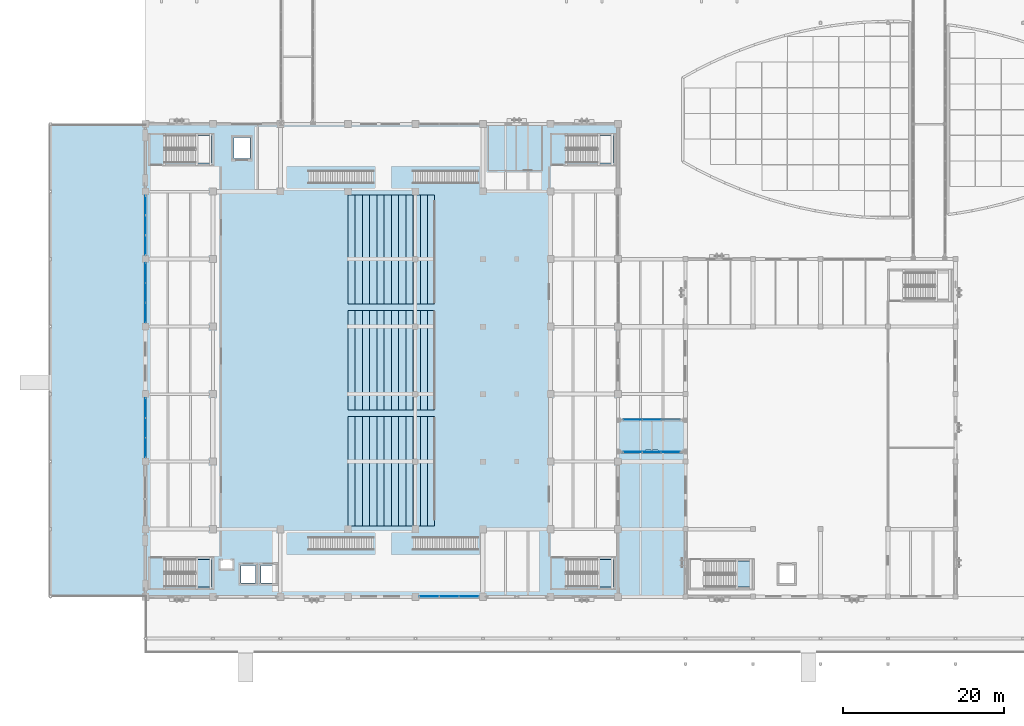
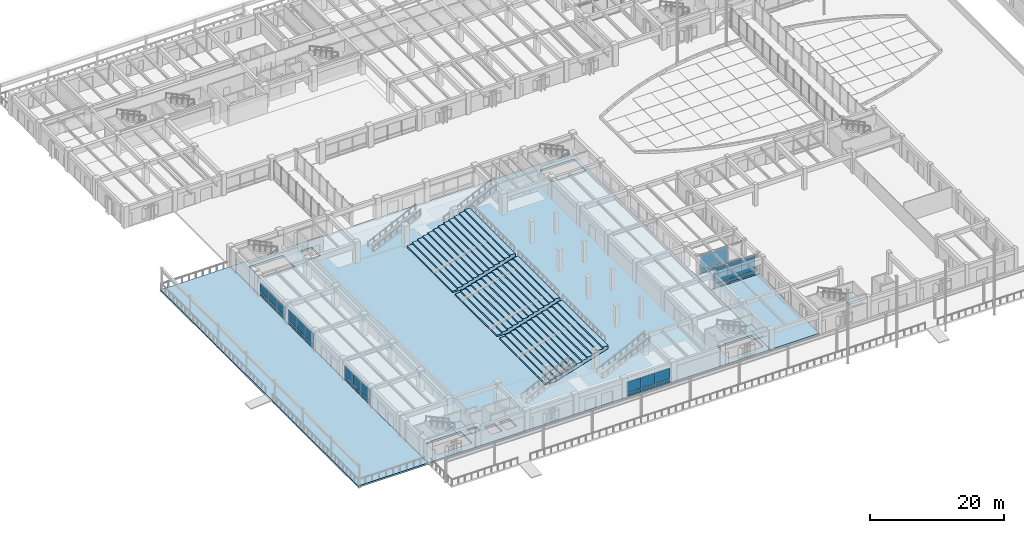
# One storey, part 64 of 135: 35 plates, 10 slabs, 9 elements without a shape of their own.
"""IFC4 building model written with IfcOpenShell, lengths in metres."""

from ifc_helpers import new_model, si_unit, direction, frame, origin, origin_2d, place, context, subcontext, project, spatial, polyline, rectangle, outline, extrude, material, layer, layer_set, type_object, element, aggregate, save


model = new_model("IFC4")

# Units and contexts
model_context = context("Model", 3, precision=1e-05, world=origin(), true_north=direction((0.0, 1.0)))
body_context = subcontext(model_context, "Body", "Model", "MODEL_VIEW")
ifc_project = project(units=[si_unit("LENGTHUNIT", "METRE"), si_unit("AREAUNIT", "SQUARE_METRE"), si_unit("VOLUMEUNIT", "CUBIC_METRE"), si_unit("PLANEANGLEUNIT", "RADIAN"), si_unit("MASSUNIT", "GRAM", prefix="KILO")], contexts=[model_context])

# Site, building, storey
site_placement = place(None, origin())
site = spatial("IfcSite", under=ifc_project, at=site_placement, CompositionType="ELEMENT")
building_placement = place(site_placement, origin())
building = spatial("IfcBuilding", under=site, at=building_placement, Name="Cumbredor Promenade Congress Hotel", CompositionType="ELEMENT")
storey_placement = place(building_placement, origin())
storey = spatial("IfcBuildingStorey", under=building, at=storey_placement, Name="L00", CompositionType="ELEMENT", Elevation=0.0)

# Stair, slab
ifc_material_1 = material(Name="Concrete C40/50", Category="concrete")
stair_type_1 = type_object("IfcStairType", Name="Protected Dog-Leg Exit Stair ST-T3 1650mm", PredefinedType="HALF_TURN_STAIR", material=ifc_material_1)
stair_1_placement = place(storey_placement, origin())
stair_1 = element("IfcStair", 1, at=stair_1_placement, inside=storey, type_object=stair_type_1, Name="L00 Protected Exit Stair ST-04", PredefinedType="HALF_TURN_STAIR")
ifc_layer_1 = layer(ifc_material_1, 0.199951171875, Name="Concrete C40/50", Category="concrete")
ifc_layer_set_1 = layer_set([ifc_layer_1], Name="Concrete C40/50")
slab_type_1 = type_object("IfcSlabType", Name="Concrete Stair Landing Slab 200mm", PredefinedType="LANDING", material=ifc_layer_set_1)
slab_1_placement = place(storey_placement, frame((0.0, 0.0, 1.760009765625)))
slab_1 = element("IfcSlab", 2, at=slab_1_placement, type_object=slab_type_1, Name="ST-04 landing 1", PredefinedType="LANDING", context=body_context, shape_type="SweptSolid", body=[
    extrude(outline(polyline([(14.64990234375, 9.60009765625), (16.64990234375, 9.60009765625), (16.64990234375, 13.050048828125), (14.64990234375, 13.050048828125), (14.64990234375, 9.60009765625)])), origin(), (0.0, 0.0, 1.0), 0.199951171875),
])
aggregate(stair_1, [slab_1])

stair_2_placement = place(storey_placement, origin())
stair_2 = element("IfcStair", 3, at=stair_2_placement, inside=storey, type_object=stair_type_1, Name="L00 Protected Exit Stair ST-05", PredefinedType="HALF_TURN_STAIR")
slab_2_placement = place(storey_placement, frame((0.0, 0.0, 1.760009765625)))
slab_2 = element("IfcSlab", 4, at=slab_2_placement, type_object=slab_type_1, Name="ST-05 landing 1", PredefinedType="LANDING", context=body_context, shape_type="SweptSolid", body=[
    extrude(outline(polyline([(64.64990234375, 9.60009765625), (66.64990234375, 9.60009765625), (66.64990234375, 13.050048828125), (64.64990234375, 13.050048828125), (64.64990234375, 9.60009765625)])), origin(), (0.0, 0.0, 1.0), 0.199951171875),
])
aggregate(stair_2, [slab_2])

stair_type_2 = type_object("IfcStairType", Name="Protected Dog-Leg Exit Stair ST-T1 1550mm", PredefinedType="HALF_TURN_STAIR", material=ifc_material_1)
stair_3_placement = place(storey_placement, origin())
stair_3 = element("IfcStair", 5, at=stair_3_placement, inside=storey, type_object=stair_type_2, Name="L00 Protected Exit Stair ST-11", PredefinedType="HALF_TURN_STAIR")
slab_3_placement = place(storey_placement, frame((0.0, 0.0, 1.760009765625)))
slab_3 = element("IfcSlab", 6, at=slab_3_placement, type_object=slab_type_1, Name="ST-11 landing 1", PredefinedType="LANDING", context=body_context, shape_type="SweptSolid", body=[
    extrude(outline(polyline([(81.85009765625, 9.60009765625), (83.85009765625, 9.60009765625), (83.85009765625, 12.85009765625), (81.85009765625, 12.85009765625), (81.85009765625, 9.60009765625)])), origin(), (0.0, 0.0, 1.0), 0.199951171875),
])
aggregate(stair_3, [slab_3])

# Curtain wall, plates
ifc_material_2 = material(Name="Thermally broken anodized aluminium and low-E glass", Category="aluminium")
curtain_wall_type_1 = type_object("IfcCurtainWallType", Name="Unitised Bridge Glazing Screen CW-05", PredefinedType="NOTDEFINED", material=ifc_material_2)
curtain_wall_1_placement = place(storey_placement, origin())
curtain_wall_1 = element("IfcCurtainWall", 7, at=curtain_wall_1_placement, inside=storey, type_object=curtain_wall_type_1, Name="L00 Central Plenary-to-Spa Pool Bridge South Glazing Screen", PredefinedType="NOTDEFINED")
ifc_material_3 = material(Name="Laminated low-E solar-control glass", Category="glass")
ifc_layer_2 = layer(ifc_material_3, 0.030029296875, Name="Laminated low-E solar-control glass", Category="glass")
ifc_layer_set_2 = layer_set([ifc_layer_2], Name="Laminated low-E solar-control glass")
plate_type_1 = type_object("IfcPlateType", Name="Glazed Bridge Panel PNL-04", PredefinedType="CURTAIN_PANEL", material=ifc_layer_set_2)
plate_1_placement = place(storey_placement, frame((69.0400390625, 26.3798828125, 0.78515625), z_axis=(0.0, 0.0, 1.0), x_axis=(1.0, 0.0, 0.0)))
plate_1 = element("IfcPlate", 8, at=plate_1_placement, type_object=plate_type_1, Name="L00 Central Plenary-to-Spa Pool Bridge South Glazing Screen Glazing Panel 1.2", PredefinedType="CURTAIN_PANEL", context=body_context, shape_type="SweptSolid", body=[
    extrude(rectangle(XDim=2.294921875, YDim=0.030029296875, at=origin_2d()), origin(), (0.0, 0.0, 1.0), 2.6298828125),
])
plate_2_placement = place(storey_placement, frame((71.39990234375, 26.3798828125, 0.78515625), z_axis=(0.0, 0.0, 1.0), x_axis=(1.0, 0.0, 0.0)))
plate_2 = element("IfcPlate", 9, at=plate_2_placement, type_object=plate_type_1, Name="L00 Central Plenary-to-Spa Pool Bridge South Glazing Screen Glazing Panel 2.2", PredefinedType="CURTAIN_PANEL", context=body_context, shape_type="SweptSolid", body=[
    extrude(rectangle(XDim=2.294921875, YDim=0.030029296875, at=origin_2d()), origin(), (0.0, 0.0, 1.0), 2.6298828125),
])
plate_3_placement = place(storey_placement, frame((73.760009765625, 26.3798828125, 0.78515625), z_axis=(0.0, 0.0, 1.0), x_axis=(1.0, 0.0, 0.0)))
plate_3 = element("IfcPlate", 10, at=plate_3_placement, type_object=plate_type_1, Name="L00 Central Plenary-to-Spa Pool Bridge South Glazing Screen Glazing Panel 3.2", PredefinedType="CURTAIN_PANEL", context=body_context, shape_type="SweptSolid", body=[
    extrude(rectangle(XDim=2.294921875, YDim=0.030029296875, at=origin_2d()), origin(), (0.0, 0.0, 1.0), 2.6298828125),
])

curtain_wall_2_placement = place(storey_placement, origin())
curtain_wall_2 = element("IfcCurtainWall", 11, at=curtain_wall_2_placement, inside=storey, type_object=curtain_wall_type_1, Name="L00 Central Plenary-to-Spa Pool Bridge North Glazing Screen", PredefinedType="NOTDEFINED")
plate_4_placement = place(storey_placement, frame((69.0400390625, 30.419921875, 0.78515625), z_axis=(0.0, 0.0, 1.0), x_axis=(1.0, 0.0, 0.0)))
plate_4 = element("IfcPlate", 12, at=plate_4_placement, type_object=plate_type_1, Name="L00 Central Plenary-to-Spa Pool Bridge North Glazing Screen Glazing Panel 1.2", PredefinedType="CURTAIN_PANEL", context=body_context, shape_type="SweptSolid", body=[
    extrude(rectangle(XDim=2.294921875, YDim=0.030029296875, at=origin_2d()), origin(), (0.0, 0.0, 1.0), 2.6298828125),
])
plate_5_placement = place(storey_placement, frame((71.39990234375, 30.419921875, 0.78515625), z_axis=(0.0, 0.0, 1.0), x_axis=(1.0, 0.0, 0.0)))
plate_5 = element("IfcPlate", 13, at=plate_5_placement, type_object=plate_type_1, Name="L00 Central Plenary-to-Spa Pool Bridge North Glazing Screen Glazing Panel 2.2", PredefinedType="CURTAIN_PANEL", context=body_context, shape_type="SweptSolid", body=[
    extrude(rectangle(XDim=2.294921875, YDim=0.030029296875, at=origin_2d()), origin(), (0.0, 0.0, 1.0), 2.6298828125),
])

curtain_wall_type_2 = type_object("IfcCurtainWallType", Name="Unitised Grand Foyer Curtain Wall CW-04", PredefinedType="NOTDEFINED", material=ifc_material_2)
curtain_wall_3_placement = place(storey_placement, origin())
curtain_wall_3 = element("IfcCurtainWall", 14, at=curtain_wall_3_placement, inside=storey, type_object=curtain_wall_type_2, Name="L00 Plenary Congress Hall West Curtain Wall 3", PredefinedType="NOTDEFINED")
ifc_layer_3 = layer(ifc_material_3, 0.028076171875, Name="Laminated low-E solar-control glass", Category="glass")
ifc_layer_set_3 = layer_set([ifc_layer_3], Name="Laminated low-E solar-control glass")
plate_type_2 = type_object("IfcPlateType", Name="Glazed Vision Panel PNL-01", PredefinedType="CURTAIN_PANEL", material=ifc_layer_set_3)
plate_6_placement = place(storey_placement, frame((8.39990234375, 26.936767578125, 0.784912109375), z_axis=(0.0, 0.0, 1.0), x_axis=(0.0, 1.0, 0.0)))
plate_6 = element("IfcPlate", 15, at=plate_6_placement, type_object=plate_type_2, Name="L00 Plenary Congress Hall West Curtain Wall 3 Glazing Panel 1.2", PredefinedType="CURTAIN_PANEL", context=body_context, shape_type="SweptSolid", body=[
    extrude(rectangle(XDim=2.398193359375, YDim=0.028076171875, at=origin_2d()), origin(), (0.0, 0.0, 1.0), 1.9599609375),
])
plate_7_placement = place(storey_placement, frame((8.39990234375, 29.39990234375, 0.784912109375), z_axis=(0.0, 0.0, 1.0), x_axis=(0.0, 1.0, 0.0)))
plate_7 = element("IfcPlate", 16, at=plate_7_placement, type_object=plate_type_2, Name="L00 Plenary Congress Hall West Curtain Wall 3 Glazing Panel 2.2", PredefinedType="CURTAIN_PANEL", context=body_context, shape_type="SweptSolid", body=[
    extrude(rectangle(XDim=2.3984375, YDim=0.028076171875, at=origin_2d()), origin(), (0.0, 0.0, 1.0), 1.9599609375),
])
plate_8_placement = place(storey_placement, frame((8.39990234375, 31.86328125, 0.784912109375), z_axis=(0.0, 0.0, 1.0), x_axis=(0.0, 1.0, 0.0)))
plate_8 = element("IfcPlate", 17, at=plate_8_placement, type_object=plate_type_2, Name="L00 Plenary Congress Hall West Curtain Wall 3 Glazing Panel 3.2", PredefinedType="CURTAIN_PANEL", context=body_context, shape_type="SweptSolid", body=[
    extrude(rectangle(XDim=2.398193359375, YDim=0.028076171875, at=origin_2d()), origin(), (0.0, 0.0, 1.0), 1.9599609375),
])

curtain_wall_4_placement = place(storey_placement, origin())
curtain_wall_4 = element("IfcCurtainWall", 18, at=curtain_wall_4_placement, inside=storey, type_object=curtain_wall_type_2, Name="L00 Plenary Congress Hall South Curtain Wall 5", PredefinedType="NOTDEFINED")
ifc_layer_4 = layer(ifc_material_3, 0.031982421875, Name="Laminated low-E solar-control glass", Category="glass")
ifc_layer_set_4 = layer_set([ifc_layer_4], Name="Laminated low-E solar-control glass")
plate_type_3 = type_object("IfcPlateType", Name="Glazed Vision Panel PNL-02", PredefinedType="CURTAIN_PANEL", material=ifc_layer_set_4)
plate_9_placement = place(storey_placement, frame((43.736572265625, 8.39990234375, 0.795166015625), z_axis=(0.0, 0.0, 1.0), x_axis=(1.0, 0.0, 0.0)))
plate_9 = element("IfcPlate", 19, at=plate_9_placement, type_object=plate_type_3, Name="L00 Plenary Congress Hall South Curtain Wall 5 Glazing Panel 1.2", PredefinedType="CURTAIN_PANEL", context=body_context, shape_type="SweptSolid", body=[
    extrude(rectangle(XDim=2.38818359375, YDim=0.031982421875, at=origin_2d()), origin(), (0.0, 0.0, 1.0), 1.8798828125),
])
plate_10_placement = place(storey_placement, frame((46.199951171875, 8.39990234375, 0.795166015625), z_axis=(0.0, 0.0, 1.0), x_axis=(1.0, 0.0, 0.0)))
plate_10 = element("IfcPlate", 20, at=plate_10_placement, type_object=plate_type_3, Name="L00 Plenary Congress Hall South Curtain Wall 5 Glazing Panel 2.2", PredefinedType="CURTAIN_PANEL", context=body_context, shape_type="SweptSolid", body=[
    extrude(rectangle(XDim=2.388427734375, YDim=0.031982421875, at=origin_2d()), origin(), (0.0, 0.0, 1.0), 1.8798828125),
])
plate_11_placement = place(storey_placement, frame((48.663330078125, 8.39990234375, 0.795166015625), z_axis=(0.0, 0.0, 1.0), x_axis=(1.0, 0.0, 0.0)))
plate_11 = element("IfcPlate", 21, at=plate_11_placement, type_object=plate_type_3, Name="L00 Plenary Congress Hall South Curtain Wall 5 Glazing Panel 3.2", PredefinedType="CURTAIN_PANEL", context=body_context, shape_type="SweptSolid", body=[
    extrude(rectangle(XDim=2.38818359375, YDim=0.031982421875, at=origin_2d()), origin(), (0.0, 0.0, 1.0), 1.8798828125),
])

curtain_wall_5_placement = place(storey_placement, origin())
curtain_wall_5 = element("IfcCurtainWall", 22, at=curtain_wall_5_placement, inside=storey, type_object=curtain_wall_type_2, Name="L00 Plenary Congress Hall West Curtain Wall 5", PredefinedType="NOTDEFINED")
plate_12_placement = place(storey_placement, frame((8.39990234375, 43.736572265625, 0.794921875), z_axis=(0.0, 0.0, 1.0), x_axis=(0.0, 1.0, 0.0)))
plate_12 = element("IfcPlate", 23, at=plate_12_placement, type_object=plate_type_3, Name="L00 Plenary Congress Hall West Curtain Wall 5 Glazing Panel 1.2", PredefinedType="CURTAIN_PANEL", context=body_context, shape_type="SweptSolid", body=[
    extrude(rectangle(XDim=2.38818359375, YDim=0.031982421875, at=origin_2d()), origin(), (0.0, 0.0, 1.0), 1.929931640625),
])
plate_13_placement = place(storey_placement, frame((8.39990234375, 46.199951171875, 0.794921875), z_axis=(0.0, 0.0, 1.0), x_axis=(0.0, 1.0, 0.0)))
plate_13 = element("IfcPlate", 24, at=plate_13_placement, type_object=plate_type_3, Name="L00 Plenary Congress Hall West Curtain Wall 5 Glazing Panel 2.2", PredefinedType="CURTAIN_PANEL", context=body_context, shape_type="SweptSolid", body=[
    extrude(rectangle(XDim=2.388427734375, YDim=0.031982421875, at=origin_2d()), origin(), (0.0, 0.0, 1.0), 1.929931640625),
])
plate_14_placement = place(storey_placement, frame((8.39990234375, 48.663330078125, 0.794921875), z_axis=(0.0, 0.0, 1.0), x_axis=(0.0, 1.0, 0.0)))
plate_14 = element("IfcPlate", 25, at=plate_14_placement, type_object=plate_type_3, Name="L00 Plenary Congress Hall West Curtain Wall 5 Glazing Panel 3.2", PredefinedType="CURTAIN_PANEL", context=body_context, shape_type="SweptSolid", body=[
    extrude(rectangle(XDim=2.38818359375, YDim=0.031982421875, at=origin_2d()), origin(), (0.0, 0.0, 1.0), 1.929931640625),
])

curtain_wall_6_placement = place(storey_placement, origin())
curtain_wall_6 = element("IfcCurtainWall", 26, at=curtain_wall_6_placement, inside=storey, type_object=curtain_wall_type_2, Name="L00 Plenary Congress Hall West Curtain Wall 6", PredefinedType="NOTDEFINED")
ifc_layer_5 = layer(ifc_material_3, 0.028076171875, Name="Laminated low-E solar-control glass", Category="glass")
ifc_layer_set_5 = layer_set([ifc_layer_5], Name="Laminated low-E solar-control glass")
plate_type_4 = type_object("IfcPlateType", Name="Glazed Vision Panel PNL-03", PredefinedType="CURTAIN_PANEL", material=ifc_layer_set_5)
plate_15_placement = place(storey_placement, frame((8.39990234375, 52.13671875, 0.81005859375), z_axis=(0.0, 0.0, 1.0), x_axis=(0.0, 1.0, 0.0)))
plate_15 = element("IfcPlate", 27, at=plate_15_placement, type_object=plate_type_4, Name="L00 Plenary Congress Hall West Curtain Wall 6 Glazing Panel 1.2", PredefinedType="CURTAIN_PANEL", context=body_context, shape_type="SweptSolid", body=[
    extrude(rectangle(XDim=2.38330078125, YDim=0.028076171875, at=origin_2d()), origin(), (0.0, 0.0, 1.0), 1.679931640625),
])
plate_16_placement = place(storey_placement, frame((8.39990234375, 54.60009765625, 0.81005859375), z_axis=(0.0, 0.0, 1.0), x_axis=(0.0, 1.0, 0.0)))
plate_16 = element("IfcPlate", 28, at=plate_16_placement, type_object=plate_type_4, Name="L00 Plenary Congress Hall West Curtain Wall 6 Glazing Panel 2.2", PredefinedType="CURTAIN_PANEL", context=body_context, shape_type="SweptSolid", body=[
    extrude(rectangle(XDim=2.38330078125, YDim=0.028076171875, at=origin_2d()), origin(), (0.0, 0.0, 1.0), 1.679931640625),
])
plate_17_placement = place(storey_placement, frame((8.39990234375, 57.063232421875, 0.81005859375), z_axis=(0.0, 0.0, 1.0), x_axis=(0.0, 1.0, 0.0)))
plate_17 = element("IfcPlate", 29, at=plate_17_placement, type_object=plate_type_4, Name="L00 Plenary Congress Hall West Curtain Wall 6 Glazing Panel 3.2", PredefinedType="CURTAIN_PANEL", context=body_context, shape_type="SweptSolid", body=[
    extrude(rectangle(XDim=2.38330078125, YDim=0.028076171875, at=origin_2d()), origin(), (0.0, 0.0, 1.0), 1.679931640625),
])

# Slab
ifc_layer_6 = layer(ifc_material_1, 0.35009765625, Name="Concrete C40/50", Category="concrete")
ifc_layer_set_6 = layer_set([ifc_layer_6], Name="Concrete C40/50")
slab_type_2 = type_object("IfcSlabType", Name="Ground Floor Slab 350mm", PredefinedType="FLOOR", material=ifc_layer_set_6)
slab_4_placement = place(storey_placement, frame((0.0, 0.0, -0.35009765625)))
element("IfcSlab", 30, at=slab_4_placement, inside=storey, type_object=slab_type_2, Name="L00 Plenary Congress Hall Floor Slab", PredefinedType="FLOOR", context=body_context, shape_type="SweptSolid", body=[
    extrude(outline(polyline([(8.39990234375, 8.39990234375), (67.199951171875, 8.39990234375), (67.199951171875, 67.199951171875), (8.39990234375, 67.199951171875), (8.39990234375, 8.39990234375)]), holes=[polyline([(10.75, 9.60009765625), (16.64990234375, 9.60009765625), (16.64990234375, 13.050048828125), (10.75, 13.050048828125), (10.75, 9.60009765625)]), polyline([(60.75, 9.60009765625), (66.64990234375, 9.60009765625), (66.64990234375, 13.050048828125), (60.75, 13.050048828125), (60.75, 9.60009765625)]), polyline([(10.75, 62.35009765625), (16.64990234375, 62.35009765625), (16.64990234375, 65.800048828125), (10.75, 65.800048828125), (10.75, 62.35009765625)]), polyline([(60.75, 62.35009765625), (66.64990234375, 62.35009765625), (66.64990234375, 65.800048828125), (60.75, 65.800048828125), (60.75, 62.35009765625)]), polyline([(20.300048828125, 10.10009765625), (22.10009765625, 10.10009765625), (22.10009765625, 12.300048828125), (20.300048828125, 12.300048828125), (20.300048828125, 10.10009765625)]), polyline([(22.800048828125, 10.10009765625), (24.60009765625, 10.10009765625), (24.60009765625, 12.300048828125), (22.800048828125, 12.300048828125), (22.800048828125, 10.10009765625)]), polyline([(19.39990234375, 62.89990234375), (21.39990234375, 62.89990234375), (21.39990234375, 65.5), (19.39990234375, 65.5), (19.39990234375, 62.89990234375)]), polyline([(17.699951171875, 11.800048828125), (19.300048828125, 11.800048828125), (19.300048828125, 13.0), (17.699951171875, 13.0), (17.699951171875, 11.800048828125)])]), origin(), (0.0, 0.0, 1.0), 0.35009765625),
])

# Plate
ifc_material_4 = material(Name="Thermally broken anodized aluminium", Category="aluminium")
ifc_layer_7 = layer(ifc_material_4, 0.0400390625, Name="Thermally broken anodized aluminium", Category="aluminium")
ifc_layer_set_7 = layer_set([ifc_layer_7], Name="Thermally broken anodized aluminium")
plate_type_5 = type_object("IfcPlateType", Name="Insulated Spandrel Panel PNL-05", PredefinedType="CURTAIN_PANEL", material=ifc_layer_set_7)
plate_18_placement = place(storey_placement, frame((8.39990234375, 43.736572265625, 0.14501953125), z_axis=(0.0, 0.0, 1.0), x_axis=(0.0, 1.0, 0.0)))
plate_18 = element("IfcPlate", 31, at=plate_18_placement, type_object=plate_type_5, Name="L00 Plenary Congress Hall West Curtain Wall 5 Spandrel Panel 1.1", PredefinedType="CURTAIN_PANEL", context=body_context, shape_type="SweptSolid", body=[
    extrude(rectangle(XDim=2.38818359375, YDim=0.0400390625, at=origin_2d()), origin(), (0.0, 0.0, 1.0), 0.5),
])

plate_19_placement = place(storey_placement, frame((8.39990234375, 46.199951171875, 0.14501953125), z_axis=(0.0, 0.0, 1.0), x_axis=(0.0, 1.0, 0.0)))
plate_19 = element("IfcPlate", 32, at=plate_19_placement, type_object=plate_type_5, Name="L00 Plenary Congress Hall West Curtain Wall 5 Spandrel Panel 2.1", PredefinedType="CURTAIN_PANEL", context=body_context, shape_type="SweptSolid", body=[
    extrude(rectangle(XDim=2.388427734375, YDim=0.0400390625, at=origin_2d()), origin(), (0.0, 0.0, 1.0), 0.5),
])

plate_20_placement = place(storey_placement, frame((8.39990234375, 48.663330078125, 0.14501953125), z_axis=(0.0, 0.0, 1.0), x_axis=(0.0, 1.0, 0.0)))
plate_20 = element("IfcPlate", 33, at=plate_20_placement, type_object=plate_type_5, Name="L00 Plenary Congress Hall West Curtain Wall 5 Spandrel Panel 3.1", PredefinedType="CURTAIN_PANEL", context=body_context, shape_type="SweptSolid", body=[
    extrude(rectangle(XDim=2.38818359375, YDim=0.0400390625, at=origin_2d()), origin(), (0.0, 0.0, 1.0), 0.5),
])

aggregate(curtain_wall_5, [plate_18, plate_12, plate_19, plate_13, plate_20, plate_14])

ifc_layer_8 = layer(ifc_material_4, 0.0400390625, Name="Thermally broken anodized aluminium", Category="aluminium")
ifc_layer_set_8 = layer_set([ifc_layer_8], Name="Thermally broken anodized aluminium")
plate_type_6 = type_object("IfcPlateType", Name="Insulated Spandrel Panel PNL-06", PredefinedType="CURTAIN_PANEL", material=ifc_layer_set_8)
plate_21_placement = place(storey_placement, frame((43.736572265625, 8.39990234375, 0.14501953125), z_axis=(0.0, 0.0, 1.0), x_axis=(1.0, 0.0, 0.0)))
plate_21 = element("IfcPlate", 34, at=plate_21_placement, type_object=plate_type_6, Name="L00 Plenary Congress Hall South Curtain Wall 5 Spandrel Panel 1.1", PredefinedType="CURTAIN_PANEL", context=body_context, shape_type="SweptSolid", body=[
    extrude(rectangle(XDim=2.38818359375, YDim=0.0400390625, at=origin_2d()), origin(), (0.0, 0.0, 1.0), 0.5),
])

plate_22_placement = place(storey_placement, frame((46.199951171875, 8.39990234375, 0.14501953125), z_axis=(0.0, 0.0, 1.0), x_axis=(1.0, 0.0, 0.0)))
plate_22 = element("IfcPlate", 35, at=plate_22_placement, type_object=plate_type_6, Name="L00 Plenary Congress Hall South Curtain Wall 5 Spandrel Panel 2.1", PredefinedType="CURTAIN_PANEL", context=body_context, shape_type="SweptSolid", body=[
    extrude(rectangle(XDim=2.388427734375, YDim=0.0400390625, at=origin_2d()), origin(), (0.0, 0.0, 1.0), 0.5),
])

plate_23_placement = place(storey_placement, frame((48.663330078125, 8.39990234375, 0.14501953125), z_axis=(0.0, 0.0, 1.0), x_axis=(1.0, 0.0, 0.0)))
plate_23 = element("IfcPlate", 36, at=plate_23_placement, type_object=plate_type_6, Name="L00 Plenary Congress Hall South Curtain Wall 5 Spandrel Panel 3.1", PredefinedType="CURTAIN_PANEL", context=body_context, shape_type="SweptSolid", body=[
    extrude(rectangle(XDim=2.38818359375, YDim=0.0400390625, at=origin_2d()), origin(), (0.0, 0.0, 1.0), 0.5),
])

aggregate(curtain_wall_4, [plate_21, plate_9, plate_22, plate_10, plate_23, plate_11])

plate_24_placement = place(storey_placement, frame((8.39990234375, 26.936767578125, 0.135009765625), z_axis=(0.0, 0.0, 1.0), x_axis=(0.0, 1.0, 0.0)))
plate_24 = element("IfcPlate", 37, at=plate_24_placement, type_object=plate_type_6, Name="L00 Plenary Congress Hall West Curtain Wall 3 Spandrel Panel 1.1", PredefinedType="CURTAIN_PANEL", context=body_context, shape_type="SweptSolid", body=[
    extrude(rectangle(XDim=2.398193359375, YDim=0.0400390625, at=origin_2d()), origin(), (0.0, 0.0, 1.0), 0.52001953125),
])

plate_25_placement = place(storey_placement, frame((8.39990234375, 29.39990234375, 0.135009765625), z_axis=(0.0, 0.0, 1.0), x_axis=(0.0, 1.0, 0.0)))
plate_25 = element("IfcPlate", 38, at=plate_25_placement, type_object=plate_type_6, Name="L00 Plenary Congress Hall West Curtain Wall 3 Spandrel Panel 2.1", PredefinedType="CURTAIN_PANEL", context=body_context, shape_type="SweptSolid", body=[
    extrude(rectangle(XDim=2.3984375, YDim=0.0400390625, at=origin_2d()), origin(), (0.0, 0.0, 1.0), 0.52001953125),
])

plate_26_placement = place(storey_placement, frame((8.39990234375, 31.86328125, 0.135009765625), z_axis=(0.0, 0.0, 1.0), x_axis=(0.0, 1.0, 0.0)))
plate_26 = element("IfcPlate", 39, at=plate_26_placement, type_object=plate_type_6, Name="L00 Plenary Congress Hall West Curtain Wall 3 Spandrel Panel 3.1", PredefinedType="CURTAIN_PANEL", context=body_context, shape_type="SweptSolid", body=[
    extrude(rectangle(XDim=2.398193359375, YDim=0.0400390625, at=origin_2d()), origin(), (0.0, 0.0, 1.0), 0.52001953125),
])

aggregate(curtain_wall_3, [plate_24, plate_6, plate_25, plate_7, plate_26, plate_8])

plate_27_placement = place(storey_placement, frame((8.39990234375, 52.13671875, 0.18017578125), z_axis=(0.0, 0.0, 1.0), x_axis=(0.0, 1.0, 0.0)))
plate_27 = element("IfcPlate", 40, at=plate_27_placement, type_object=plate_type_6, Name="L00 Plenary Congress Hall West Curtain Wall 6 Spandrel Panel 1.1", PredefinedType="CURTAIN_PANEL", context=body_context, shape_type="SweptSolid", body=[
    extrude(rectangle(XDim=2.38330078125, YDim=0.0400390625, at=origin_2d()), origin(), (0.0, 0.0, 1.0), 0.449951171875),
])

plate_28_placement = place(storey_placement, frame((8.39990234375, 54.60009765625, 0.18017578125), z_axis=(0.0, 0.0, 1.0), x_axis=(0.0, 1.0, 0.0)))
plate_28 = element("IfcPlate", 41, at=plate_28_placement, type_object=plate_type_6, Name="L00 Plenary Congress Hall West Curtain Wall 6 Spandrel Panel 2.1", PredefinedType="CURTAIN_PANEL", context=body_context, shape_type="SweptSolid", body=[
    extrude(rectangle(XDim=2.38330078125, YDim=0.0400390625, at=origin_2d()), origin(), (0.0, 0.0, 1.0), 0.449951171875),
])

plate_29_placement = place(storey_placement, frame((8.39990234375, 57.063232421875, 0.18017578125), z_axis=(0.0, 0.0, 1.0), x_axis=(0.0, 1.0, 0.0)))
plate_29 = element("IfcPlate", 42, at=plate_29_placement, type_object=plate_type_6, Name="L00 Plenary Congress Hall West Curtain Wall 6 Spandrel Panel 3.1", PredefinedType="CURTAIN_PANEL", context=body_context, shape_type="SweptSolid", body=[
    extrude(rectangle(XDim=2.38330078125, YDim=0.0400390625, at=origin_2d()), origin(), (0.0, 0.0, 1.0), 0.449951171875),
])

aggregate(curtain_wall_6, [plate_27, plate_15, plate_28, plate_16, plate_29, plate_17])

plate_30_placement = place(storey_placement, frame((69.0400390625, 26.3798828125, 0.135009765625), z_axis=(0.0, 0.0, 1.0), x_axis=(1.0, 0.0, 0.0)))
plate_30 = element("IfcPlate", 43, at=plate_30_placement, type_object=plate_type_6, Name="L00 Central Plenary-to-Spa Pool Bridge South Glazing Screen Spandrel Panel 1.1", PredefinedType="CURTAIN_PANEL", context=body_context, shape_type="SweptSolid", body=[
    extrude(rectangle(XDim=2.294921875, YDim=0.0400390625, at=origin_2d()), origin(), (0.0, 0.0, 1.0), 0.52001953125),
])

plate_31_placement = place(storey_placement, frame((71.39990234375, 26.3798828125, 0.135009765625), z_axis=(0.0, 0.0, 1.0), x_axis=(1.0, 0.0, 0.0)))
plate_31 = element("IfcPlate", 44, at=plate_31_placement, type_object=plate_type_6, Name="L00 Central Plenary-to-Spa Pool Bridge South Glazing Screen Spandrel Panel 2.1", PredefinedType="CURTAIN_PANEL", context=body_context, shape_type="SweptSolid", body=[
    extrude(rectangle(XDim=2.294921875, YDim=0.0400390625, at=origin_2d()), origin(), (0.0, 0.0, 1.0), 0.52001953125),
])

plate_32_placement = place(storey_placement, frame((73.760009765625, 26.3798828125, 0.135009765625), z_axis=(0.0, 0.0, 1.0), x_axis=(1.0, 0.0, 0.0)))
plate_32 = element("IfcPlate", 45, at=plate_32_placement, type_object=plate_type_6, Name="L00 Central Plenary-to-Spa Pool Bridge South Glazing Screen Spandrel Panel 3.1", PredefinedType="CURTAIN_PANEL", context=body_context, shape_type="SweptSolid", body=[
    extrude(rectangle(XDim=2.294921875, YDim=0.0400390625, at=origin_2d()), origin(), (0.0, 0.0, 1.0), 0.52001953125),
])

aggregate(curtain_wall_1, [plate_30, plate_1, plate_31, plate_2, plate_32, plate_3])

plate_33_placement = place(storey_placement, frame((69.0400390625, 30.419921875, 0.135009765625), z_axis=(0.0, 0.0, 1.0), x_axis=(1.0, 0.0, 0.0)))
plate_33 = element("IfcPlate", 46, at=plate_33_placement, type_object=plate_type_6, Name="L00 Central Plenary-to-Spa Pool Bridge North Glazing Screen Spandrel Panel 1.1", PredefinedType="CURTAIN_PANEL", context=body_context, shape_type="SweptSolid", body=[
    extrude(rectangle(XDim=2.294921875, YDim=0.0400390625, at=origin_2d()), origin(), (0.0, 0.0, 1.0), 0.52001953125),
])

plate_34_placement = place(storey_placement, frame((71.39990234375, 30.419921875, 0.135009765625), z_axis=(0.0, 0.0, 1.0), x_axis=(1.0, 0.0, 0.0)))
plate_34 = element("IfcPlate", 47, at=plate_34_placement, type_object=plate_type_6, Name="L00 Central Plenary-to-Spa Pool Bridge North Glazing Screen Spandrel Panel 2.1", PredefinedType="CURTAIN_PANEL", context=body_context, shape_type="SweptSolid", body=[
    extrude(rectangle(XDim=2.294921875, YDim=0.0400390625, at=origin_2d()), origin(), (0.0, 0.0, 1.0), 0.52001953125),
])

plate_35_placement = place(storey_placement, frame((73.760009765625, 30.419921875, 0.135009765625), z_axis=(0.0, 0.0, 1.0), x_axis=(1.0, 0.0, 0.0)))
plate_35 = element("IfcPlate", 48, at=plate_35_placement, type_object=plate_type_6, Name="L00 Central Plenary-to-Spa Pool Bridge North Glazing Screen Spandrel Panel 3.1", PredefinedType="CURTAIN_PANEL", context=body_context, shape_type="SweptSolid", body=[
    extrude(rectangle(XDim=2.294921875, YDim=0.0400390625, at=origin_2d()), origin(), (0.0, 0.0, 1.0), 0.52001953125),
])

aggregate(curtain_wall_2, [plate_33, plate_4, plate_34, plate_5, plate_35])

# Slabs
ifc_layer_9 = layer(ifc_material_1, 0.219970703125, Name="Concrete C40/50", Category="concrete")
ifc_layer_set_9 = layer_set([ifc_layer_9], Name="Concrete C40/50")
slab_type_3 = type_object("IfcSlabType", Name="Link Bridge Deck Slab 220mm", PredefinedType="FLOOR", material=ifc_layer_set_9)
slab_5_placement = place(storey_placement, frame((0.0, 0.0, -0.219970703125)))
element("IfcSlab", 49, at=slab_5_placement, inside=storey, type_object=slab_type_3, Name="L00 Central Plenary-to-Spa Pool Bridge Floor Deck", PredefinedType="FLOOR", context=body_context, shape_type="SweptSolid", body=[
    extrude(outline(polyline([(67.199951171875, 26.300048828125), (70.60009765625, 26.300048828125), (70.60009765625, 26.64990234375), (72.199951171875, 26.64990234375), (72.199951171875, 26.300048828125), (75.60009765625, 26.300048828125), (75.60009765625, 30.5), (67.199951171875, 30.5), (67.199951171875, 26.300048828125)])), origin(), (0.0, 0.0, 1.0), 0.219970703125),
])
ifc_layer_10 = layer(ifc_material_1, 0.300048828125, Name="Concrete C40/50", Category="concrete")
ifc_layer_set_10 = layer_set([ifc_layer_10], Name="Concrete C40/50")
slab_type_4 = type_object("IfcSlabType", Name="Outdoor Promenade Terrace Slab 300mm", PredefinedType="FLOOR", material=ifc_layer_set_10)
slab_6_placement = place(storey_placement, frame((0.0, 0.0, -0.300048828125)))
element("IfcSlab", 50, at=slab_6_placement, inside=storey, type_object=slab_type_4, Name="L00 West Plenary Promenade Terrace", PredefinedType="FLOOR", context=body_context, shape_type="SweptSolid", body=[
    extrude(outline(polyline([(-3.60009765625, 8.39990234375), (8.39990234375, 8.39990234375), (8.39990234375, 67.199951171875), (-3.60009765625, 67.199951171875), (-3.60009765625, 8.39990234375)])), origin(), (0.0, 0.0, 1.0), 0.300048828125),
])
ifc_layer_11 = layer(ifc_material_1, 0.280029296875, Name="Concrete C40/50", Category="concrete")
ifc_layer_set_11 = layer_set([ifc_layer_11], Name="Concrete C40/50")
slab_type_5 = type_object("IfcSlabType", Name="Plenary Lower Seating Tier Slab", PredefinedType="USERDEFINED", material=ifc_layer_set_11)
slab_7_placement = place(storey_placement, frame((33.60009765625, 24.0, 0.0), z_axis=(0.0, 0.0, 1.0), x_axis=(1.0, 0.0, 0.0)))
element("IfcSlab", 51, at=slab_7_placement, inside=storey, type_object=slab_type_5, Name="Stand Lower Orchestra Tier Bay 1", ObjectType="SEATING TIER", PredefinedType="USERDEFINED", context=body_context, shape_type="SweptSolid", body=[
    extrude(outline(polyline([(0.0, 0.0), (0.0, 0.280029296875), (0.89990234375, 0.280029296875), (0.89990234375, 0.56005859375), (1.800048828125, 0.56005859375), (1.800048828125, 0.840087890625), (2.699951171875, 0.840087890625), (2.699951171875, 1.1201171875), (3.60009765625, 1.1201171875), (3.60009765625, 1.39990234375), (4.5, 1.39990234375), (4.5, 1.679931640625), (5.39990234375, 1.679931640625), (5.39990234375, 1.9599609375), (6.300048828125, 1.9599609375), (6.300048828125, 2.239990234375), (7.199951171875, 2.239990234375), (7.199951171875, 2.52001953125), (8.10009765625, 2.52001953125), (8.10009765625, 2.800048828125), (9.0, 2.800048828125), (9.0, 3.080078125), (9.89990234375, 3.080078125), (9.89990234375, 3.360107421875), (10.800048828125, 3.360107421875), (10.800048828125, 2.78662109375), (1.842529296875, 0.0), (0.0, 0.0)])), frame((0.0, 6.800048828125, 0.0), z_axis=(0.0, -1.0, 0.0), x_axis=(1.0, 0.0, 0.0)), (0.0, 0.0, 1.0), 13.60009765625),
])
slab_8_placement = place(storey_placement, frame((33.60009765625, 37.800048828125, 0.0), z_axis=(0.0, 0.0, 1.0), x_axis=(1.0, 0.0, 0.0)))
element("IfcSlab", 52, at=slab_8_placement, inside=storey, type_object=slab_type_5, Name="Stand Lower Orchestra Tier Bay 2", ObjectType="SEATING TIER", PredefinedType="USERDEFINED", context=body_context, shape_type="SweptSolid", body=[
    extrude(outline(polyline([(0.0, 0.0), (0.0, 0.280029296875), (0.89990234375, 0.280029296875), (0.89990234375, 0.56005859375), (1.800048828125, 0.56005859375), (1.800048828125, 0.840087890625), (2.699951171875, 0.840087890625), (2.699951171875, 1.1201171875), (3.60009765625, 1.1201171875), (3.60009765625, 1.39990234375), (4.5, 1.39990234375), (4.5, 1.679931640625), (5.39990234375, 1.679931640625), (5.39990234375, 1.9599609375), (6.300048828125, 1.9599609375), (6.300048828125, 2.239990234375), (7.199951171875, 2.239990234375), (7.199951171875, 2.52001953125), (8.10009765625, 2.52001953125), (8.10009765625, 2.800048828125), (9.0, 2.800048828125), (9.0, 3.080078125), (9.89990234375, 3.080078125), (9.89990234375, 3.360107421875), (10.800048828125, 3.360107421875), (10.800048828125, 2.78662109375), (1.842529296875, 0.0), (0.0, 0.0)])), frame((0.0, 6.199951171875, 0.0), z_axis=(0.0, -1.0, 0.0), x_axis=(1.0, 0.0, 0.0)), (0.0, 0.0, 1.0), 12.39990234375),
])
slab_9_placement = place(storey_placement, frame((33.60009765625, 51.60009765625, 0.0), z_axis=(0.0, 0.0, 1.0), x_axis=(1.0, 0.0, 0.0)))
element("IfcSlab", 53, at=slab_9_placement, inside=storey, type_object=slab_type_5, Name="Stand Lower Orchestra Tier Bay 3", ObjectType="SEATING TIER", PredefinedType="USERDEFINED", context=body_context, shape_type="SweptSolid", body=[
    extrude(outline(polyline([(0.0, 0.0), (0.0, 0.280029296875), (0.89990234375, 0.280029296875), (0.89990234375, 0.56005859375), (1.800048828125, 0.56005859375), (1.800048828125, 0.840087890625), (2.699951171875, 0.840087890625), (2.699951171875, 1.1201171875), (3.60009765625, 1.1201171875), (3.60009765625, 1.39990234375), (4.5, 1.39990234375), (4.5, 1.679931640625), (5.39990234375, 1.679931640625), (5.39990234375, 1.9599609375), (6.300048828125, 1.9599609375), (6.300048828125, 2.239990234375), (7.199951171875, 2.239990234375), (7.199951171875, 2.52001953125), (8.10009765625, 2.52001953125), (8.10009765625, 2.800048828125), (9.0, 2.800048828125), (9.0, 3.080078125), (9.89990234375, 3.080078125), (9.89990234375, 3.360107421875), (10.800048828125, 3.360107421875), (10.800048828125, 2.78662109375), (1.842529296875, 0.0), (0.0, 0.0)])), frame((0.0, 6.800048828125, 0.0), z_axis=(0.0, -1.0, 0.0), x_axis=(1.0, 0.0, 0.0)), (0.0, 0.0, 1.0), 13.60009765625),
])
ifc_layer_12 = layer(ifc_material_1, 0.31005859375, Name="Concrete C40/50", Category="concrete")
ifc_layer_set_12 = layer_set([ifc_layer_12], Name="Concrete C40/50")
slab_type_6 = type_object("IfcSlabType", Name="Reflecting Pool Basin Slab 310mm", PredefinedType="FLOOR", material=ifc_layer_set_12)
slab_10_placement = place(storey_placement, frame((0.0, 0.0, -0.35009765625)))
element("IfcSlab", 54, at=slab_10_placement, inside=storey, type_object=slab_type_6, Name="L00 Central Reflecting-Pool Courtyard Plaza Slab 4", PredefinedType="FLOOR", context=body_context, shape_type="SweptSolid", body=[
    extrude(outline(polyline([(75.60009765625, 26.219970703125), (75.60009765625, 8.39990234375), (67.199951171875, 8.39990234375), (67.199951171875, 26.219970703125), (75.60009765625, 26.219970703125)])), origin(), (0.0, 0.0, 1.0), 0.35009765625),
])

save(model, "model.ifc")
